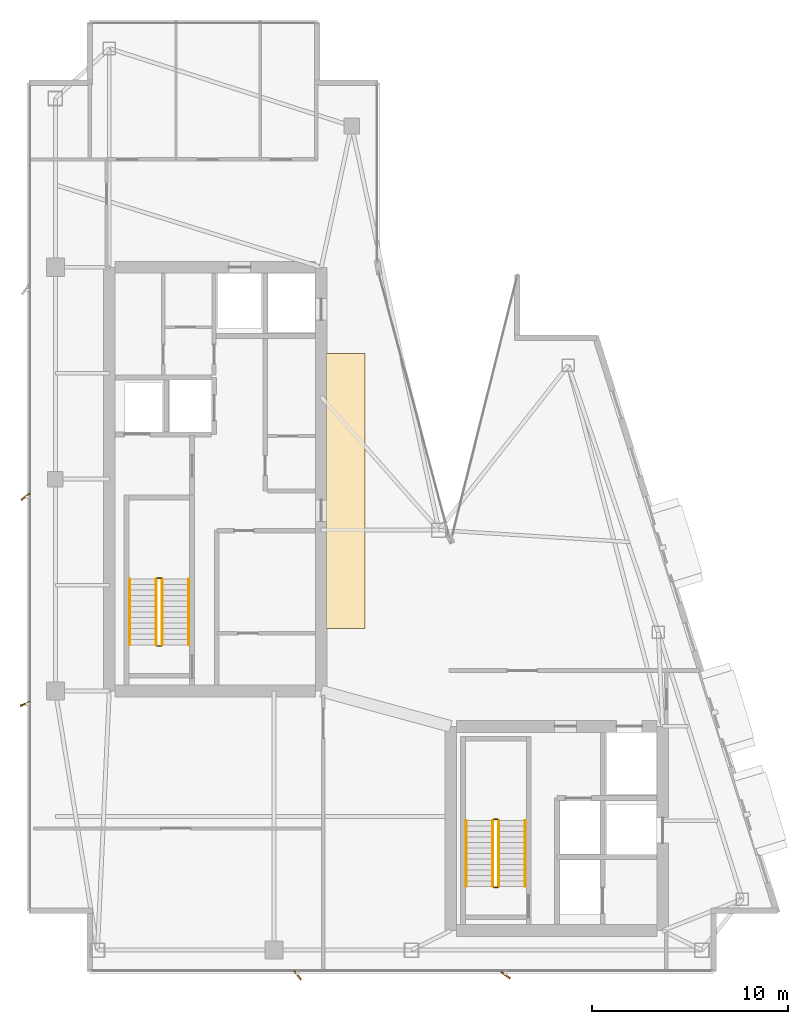
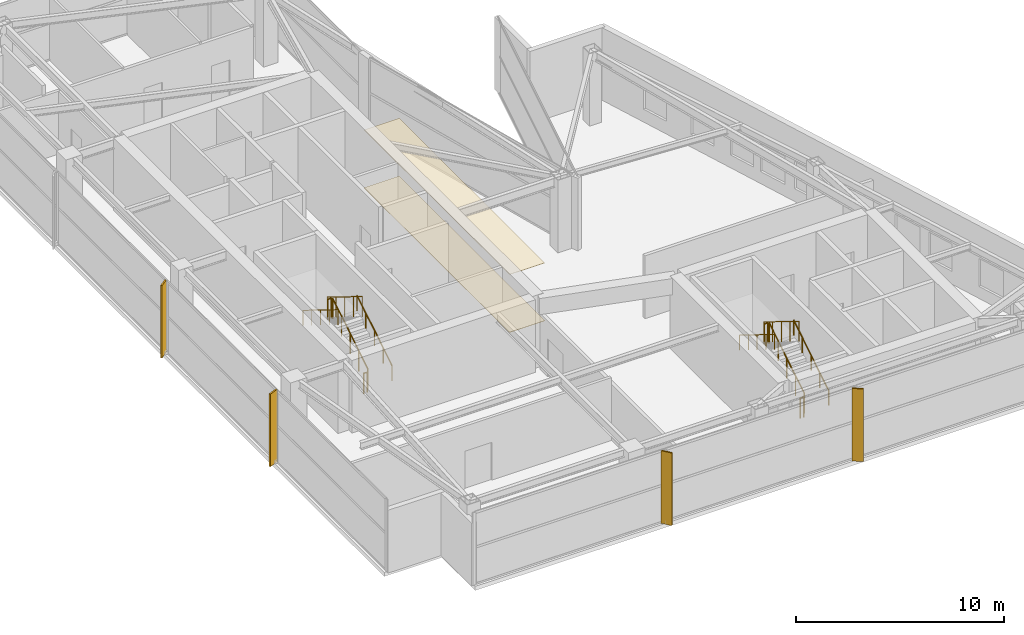
# One storey, part 24 of 25: 12 railings, 4 shading devices, 2 coverings.
"""IFC4 building model written with IfcOpenShell, lengths in metres."""

from ifc_helpers import new_model, si_unit, direction, frame, origin, origin_2d, place, context, subcontext, project, spatial, rectangle, circle, extrude, material, layer, layer_set, type_object, element, save


model = new_model("IFC4")

# Units and contexts
model_context = context("Model", 3, precision=1e-05, world=origin(), true_north=direction((0.0, 1.0)))
body_context = subcontext(model_context, "Body", "Model", "MODEL_VIEW")
ifc_project = project(units=[si_unit("LENGTHUNIT", "METRE"), si_unit("AREAUNIT", "SQUARE_METRE"), si_unit("VOLUMEUNIT", "CUBIC_METRE"), si_unit("PLANEANGLEUNIT", "RADIAN"), si_unit("MASSUNIT", "GRAM", prefix="KILO")], contexts=[model_context])

# Site, building, storey
site_placement = place(None, origin())
site = spatial("IfcSite", under=ifc_project, at=site_placement, CompositionType="ELEMENT")
building_placement = place(site_placement, origin())
building = spatial("IfcBuilding", under=site, at=building_placement, Name="Calvorn Quay Hotel", CompositionType="ELEMENT")
storey_placement = place(building_placement, frame((0.0, 0.0, 311.5)))
storey = spatial("IfcBuildingStorey", under=building, at=storey_placement, Name="L77", CompositionType="ELEMENT", Elevation=311.5)

# Coverings
ifc_material_1 = material(Name="Anodised Aluminium Acoustic Baffle", Category="aluminium")
ifc_layer_1 = layer(ifc_material_1, 0.02001953125)
ifc_layer_set_1 = layer_set([ifc_layer_1], Name="COV-CEIL-METAL")
covering_type_1 = type_object("IfcCoveringType", Name="COV-CEIL-METAL", PredefinedType="CEILING", material=ifc_layer_set_1)
covering_1_placement = place(storey_placement, frame((16.25, 27.0, 3.39990234375), z_axis=(0.0, 0.0, 1.0), x_axis=(1.0, 0.0, 0.0)))
element("IfcCovering", 1, at=covering_1_placement, inside=storey, type_object=covering_type_1, Name="Acoustic Suspended Ceiling (L77)", PredefinedType="CEILING", context=body_context, shape_type="SweptSolid", body=[
    extrude(rectangle(XDim=1.9599609375, YDim=14.0, at=origin_2d()), origin(), (0.0, 0.0, 1.0), 0.02001953125),
])
ifc_material_2 = material(Name="Honed Granite Stone Flooring", Category="masonry")
ifc_layer_2 = layer(ifc_material_2, 0.02392578125)
ifc_layer_set_2 = layer_set([ifc_layer_2], Name="COV-FLOOR-STONE")
covering_type_2 = type_object("IfcCoveringType", Name="COV-FLOOR-STONE", PredefinedType="FLOORING", material=ifc_layer_set_2)
covering_2_placement = place(storey_placement, frame((16.25, 27.0, 0.0), z_axis=(0.0, 0.0, 1.0), x_axis=(1.0, 0.0, 0.0)))
element("IfcCovering", 2, at=covering_2_placement, inside=storey, type_object=covering_type_2, Name="Interior Floor Finish (L77)", PredefinedType="FLOORING", context=body_context, shape_type="SweptSolid", body=[
    extrude(rectangle(XDim=1.9599609375, YDim=14.0, at=origin_2d()), origin(), (0.0, 0.0, 1.0), 0.02392578125),
])

# Railings
ifc_material_3 = material(Name="Brushed Stainless Steel Handrail", Category="steel")
railing_type_1 = type_object("IfcRailingType", Name="RLG-HANDRAIL-900", PredefinedType="HANDRAIL", material=ifc_material_3)
railing_1_placement = place(storey_placement, frame((8.25, 19.14990234375, 0.173095703125)))
element("IfcRailing", 3, at=railing_1_placement, inside=storey, type_object=railing_type_1, Name="L77 ST-W stair handrail 1", PredefinedType="HANDRAIL", context=body_context, shape_type="SweptSolid", body=[
    extrude(circle(Radius=0.02392578125, at=origin_2d()), frame((0.0, 0.0, 0.8759765625), z_axis=(0.0, 0.850623216509, 0.525775754039), x_axis=(-1.0, 0.0, 0.0)), (0.0, 0.0, 1.0), 3.9501953125),
    extrude(circle(Radius=0.02099609375, at=origin_2d()), origin(), (0.0, 0.0, 1.0), 0.851806640625),
    extrude(circle(Radius=0.02099609375, at=origin_2d()), frame((0.0, 0.840087890625, 0.519287109375)), (0.0, 0.0, 1.0), 0.851806640625),
    extrude(circle(Radius=0.02099609375, at=origin_2d()), frame((0.0, 1.68017578125, 1.03857421875)), (0.0, 0.0, 1.0), 0.851806640625),
    extrude(circle(Radius=0.02099609375, at=origin_2d()), frame((0.0, 2.52001953125, 1.5576171875)), (0.0, 0.0, 1.0), 0.851806640625),
    extrude(circle(Radius=0.02099609375, at=origin_2d()), frame((0.0, 3.360107421875, 2.076904296875)), (0.0, 0.0, 1.0), 0.851806640625),
])
railing_2_placement = place(storey_placement, frame((5.25, 22.510009765625, 2.423095703125)))
element("IfcRailing", 4, at=railing_2_placement, inside=storey, type_object=railing_type_1, Name="L77 ST-W stair handrail 2", PredefinedType="HANDRAIL", context=body_context, shape_type="SweptSolid", body=[
    extrude(circle(Radius=0.02392578125, at=origin_2d()), frame((0.0, 0.0, 0.8759765625), z_axis=(0.0, -0.850623216509, 0.525775754039), x_axis=(1.0, 0.0, 0.0)), (0.0, 0.0, 1.0), 3.9501953125),
    extrude(circle(Radius=0.02099609375, at=origin_2d()), origin(), (0.0, 0.0, 1.0), 0.851806640625),
    extrude(circle(Radius=0.02099609375, at=origin_2d()), frame((0.0, -0.840087890625, 0.519287109375)), (0.0, 0.0, 1.0), 0.851806640625),
    extrude(circle(Radius=0.02099609375, at=origin_2d()), frame((0.0, -1.68017578125, 1.03857421875)), (0.0, 0.0, 1.0), 0.851806640625),
    extrude(circle(Radius=0.02099609375, at=origin_2d()), frame((0.0, -2.52001953125, 1.5576171875)), (0.0, 0.0, 1.0), 0.851806640625),
    extrude(circle(Radius=0.02099609375, at=origin_2d()), frame((0.0, -3.360107421875, 2.076904296875)), (0.0, 0.0, 1.0), 0.851806640625),
])
railing_3_placement = place(storey_placement, frame((25.39990234375, 6.85009765625, 0.173095703125)))
element("IfcRailing", 5, at=railing_3_placement, inside=storey, type_object=railing_type_1, Name="L77 ST-E stair handrail 1", PredefinedType="HANDRAIL", context=body_context, shape_type="SweptSolid", body=[
    extrude(circle(Radius=0.02392578125, at=origin_2d()), frame((0.0, 0.0, 0.8759765625), z_axis=(0.0, 0.850606129759, 0.525803396734), x_axis=(-1.0, 0.0, 0.0)), (0.0, 0.0, 1.0), 3.949951171875),
    extrude(circle(Radius=0.02099609375, at=origin_2d()), origin(), (0.0, 0.0, 1.0), 0.851806640625),
    extrude(circle(Radius=0.02099609375, at=origin_2d()), frame((0.0, 0.83984375, 0.519287109375)), (0.0, 0.0, 1.0), 0.851806640625),
    extrude(circle(Radius=0.02099609375, at=origin_2d()), frame((0.0, 1.679931640625, 1.03857421875)), (0.0, 0.0, 1.0), 0.851806640625),
    extrude(circle(Radius=0.02099609375, at=origin_2d()), frame((0.0, 2.52001953125, 1.5576171875)), (0.0, 0.0, 1.0), 0.851806640625),
    extrude(circle(Radius=0.02099609375, at=origin_2d()), frame((0.0, 3.35986328125, 2.076904296875)), (0.0, 0.0, 1.0), 0.851806640625),
])
railing_4_placement = place(storey_placement, frame((22.39990234375, 10.2099609375, 2.423095703125)))
element("IfcRailing", 6, at=railing_4_placement, inside=storey, type_object=railing_type_1, Name="L77 ST-E stair handrail 2", PredefinedType="HANDRAIL", context=body_context, shape_type="SweptSolid", body=[
    extrude(circle(Radius=0.02392578125, at=origin_2d()), frame((0.0, 0.0, 0.8759765625), z_axis=(0.0, -0.850606129759, 0.525803396734), x_axis=(1.0, 0.0, 0.0)), (0.0, 0.0, 1.0), 3.949951171875),
    extrude(circle(Radius=0.02099609375, at=origin_2d()), origin(), (0.0, 0.0, 1.0), 0.851806640625),
    extrude(circle(Radius=0.02099609375, at=origin_2d()), frame((0.0, -0.83984375, 0.519287109375)), (0.0, 0.0, 1.0), 0.851806640625),
    extrude(circle(Radius=0.02099609375, at=origin_2d()), frame((0.0, -1.679931640625, 1.03857421875)), (0.0, 0.0, 1.0), 0.851806640625),
    extrude(circle(Radius=0.02099609375, at=origin_2d()), frame((0.0, -2.52001953125, 1.5576171875)), (0.0, 0.0, 1.0), 0.851806640625),
    extrude(circle(Radius=0.02099609375, at=origin_2d()), frame((0.0, -3.35986328125, 2.076904296875)), (0.0, 0.0, 1.0), 0.851806640625),
])
ifc_material_4 = material(Name="Painted Galvanised Steel Balustrade", Category="steel")
railing_type_2 = type_object("IfcRailingType", Name="RLG-STAIR-GUARD-1120", PredefinedType="GUARDRAIL", material=ifc_material_4)
railing_5_placement = place(storey_placement, frame((6.89990234375, 19.14990234375, 0.173095703125)))
element("IfcRailing", 7, at=railing_5_placement, inside=storey, type_object=railing_type_2, Name="L77 ST-W stair guard 1", PredefinedType="GUARDRAIL", context=body_context, shape_type="SweptSolid", body=[
    extrude(circle(Radius=0.02392578125, at=origin_2d()), frame((0.0, 0.0, 1.17578125), z_axis=(0.0, 0.850623216509, 0.525775754039), x_axis=(-1.0, 0.0, 0.0)), (0.0, 0.0, 1.0), 3.9501953125),
    extrude(circle(Radius=0.02099609375, at=origin_2d()), origin(), (0.0, 0.0, 1.0), 1.15185546875),
    extrude(circle(Radius=0.02099609375, at=origin_2d()), frame((0.0, 0.840087890625, 0.519287109375)), (0.0, 0.0, 1.0), 1.15185546875),
    extrude(circle(Radius=0.02099609375, at=origin_2d()), frame((0.0, 1.68017578125, 1.03857421875)), (0.0, 0.0, 1.0), 1.15185546875),
    extrude(circle(Radius=0.02099609375, at=origin_2d()), frame((0.0, 2.52001953125, 1.5576171875)), (0.0, 0.0, 1.0), 1.15185546875),
    extrude(circle(Radius=0.02099609375, at=origin_2d()), frame((0.0, 3.360107421875, 2.076904296875)), (0.0, 0.0, 1.0), 1.15185546875),
])
railing_6_placement = place(storey_placement, frame((6.85009765625, 22.56005859375, 2.25)))
element("IfcRailing", 8, at=railing_6_placement, inside=storey, type_object=railing_type_2, Name="L77 ST-W stair guard 2", PredefinedType="GUARDRAIL", context=body_context, shape_type="SweptSolid", body=[
    extrude(circle(Radius=0.02392578125, at=origin_2d()), frame((0.0, 0.0, 1.17578125), z_axis=(-1.0, 0.0, 0.0), x_axis=(0.0, -1.0, 0.0)), (0.0, 0.0, 1.0), 0.2001953125),
    extrude(circle(Radius=0.02099609375, at=origin_2d()), origin(), (0.0, 0.0, 1.0), 1.15185546875),
    extrude(circle(Radius=0.02099609375, at=origin_2d()), frame((-0.2001953125, 0.0, 0.0)), (0.0, 0.0, 1.0), 1.15185546875),
])
railing_7_placement = place(storey_placement, frame((6.60009765625, 22.510009765625, 2.423095703125)))
element("IfcRailing", 9, at=railing_7_placement, inside=storey, type_object=railing_type_2, Name="L77 ST-W stair guard 3", PredefinedType="GUARDRAIL", context=body_context, shape_type="SweptSolid", body=[
    extrude(circle(Radius=0.02392578125, at=origin_2d()), frame((0.0, 0.0, 1.17578125), z_axis=(0.0, -0.850623216509, 0.525775754039), x_axis=(1.0, 0.0, 0.0)), (0.0, 0.0, 1.0), 3.9501953125),
    extrude(circle(Radius=0.02099609375, at=origin_2d()), origin(), (0.0, 0.0, 1.0), 1.15185546875),
    extrude(circle(Radius=0.02099609375, at=origin_2d()), frame((0.0, -0.840087890625, 0.519287109375)), (0.0, 0.0, 1.0), 1.15185546875),
    extrude(circle(Radius=0.02099609375, at=origin_2d()), frame((0.0, -1.68017578125, 1.03857421875)), (0.0, 0.0, 1.0), 1.15185546875),
    extrude(circle(Radius=0.02099609375, at=origin_2d()), frame((0.0, -2.52001953125, 1.5576171875)), (0.0, 0.0, 1.0), 1.15185546875),
    extrude(circle(Radius=0.02099609375, at=origin_2d()), frame((0.0, -3.360107421875, 2.076904296875)), (0.0, 0.0, 1.0), 1.15185546875),
])
railing_8_placement = place(storey_placement, frame((6.85009765625, 19.10009765625, 0.0)))
element("IfcRailing", 10, at=railing_8_placement, inside=storey, type_object=railing_type_2, Name="L77 ST-W stair guard 4", PredefinedType="GUARDRAIL", context=body_context, shape_type="SweptSolid", body=[
    extrude(circle(Radius=0.02392578125, at=origin_2d()), frame((0.0, 0.0, 1.17578125), z_axis=(-1.0, 0.0, 0.0), x_axis=(0.0, -1.0, 0.0)), (0.0, 0.0, 1.0), 0.2001953125),
    extrude(circle(Radius=0.02099609375, at=origin_2d()), origin(), (0.0, 0.0, 1.0), 1.15185546875),
    extrude(circle(Radius=0.02099609375, at=origin_2d()), frame((-0.2001953125, 0.0, 0.0)), (0.0, 0.0, 1.0), 1.15185546875),
])
railing_9_placement = place(storey_placement, frame((24.050048828125, 6.85009765625, 0.173095703125)))
element("IfcRailing", 11, at=railing_9_placement, inside=storey, type_object=railing_type_2, Name="L77 ST-E stair guard 1", PredefinedType="GUARDRAIL", context=body_context, shape_type="SweptSolid", body=[
    extrude(circle(Radius=0.02392578125, at=origin_2d()), frame((0.0, 0.0, 1.17578125), z_axis=(0.0, 0.850606129759, 0.525803396734), x_axis=(-1.0, 0.0, 0.0)), (0.0, 0.0, 1.0), 3.949951171875),
    extrude(circle(Radius=0.02099609375, at=origin_2d()), origin(), (0.0, 0.0, 1.0), 1.15185546875),
    extrude(circle(Radius=0.02099609375, at=origin_2d()), frame((0.0, 0.83984375, 0.519287109375)), (0.0, 0.0, 1.0), 1.15185546875),
    extrude(circle(Radius=0.02099609375, at=origin_2d()), frame((0.0, 1.679931640625, 1.03857421875)), (0.0, 0.0, 1.0), 1.15185546875),
    extrude(circle(Radius=0.02099609375, at=origin_2d()), frame((0.0, 2.52001953125, 1.5576171875)), (0.0, 0.0, 1.0), 1.15185546875),
    extrude(circle(Radius=0.02099609375, at=origin_2d()), frame((0.0, 3.35986328125, 2.076904296875)), (0.0, 0.0, 1.0), 1.15185546875),
])
railing_10_placement = place(storey_placement, frame((24.0, 10.260009765625, 2.25)))
element("IfcRailing", 12, at=railing_10_placement, inside=storey, type_object=railing_type_2, Name="L77 ST-E stair guard 2", PredefinedType="GUARDRAIL", context=body_context, shape_type="SweptSolid", body=[
    extrude(circle(Radius=0.02392578125, at=origin_2d()), frame((0.0, 0.0, 1.17578125), z_axis=(-1.0, 0.0, 0.0), x_axis=(0.0, -1.0, 0.0)), (0.0, 0.0, 1.0), 0.199951171875),
    extrude(circle(Radius=0.02099609375, at=origin_2d()), origin(), (0.0, 0.0, 1.0), 1.15185546875),
    extrude(circle(Radius=0.02099609375, at=origin_2d()), frame((-0.199951171875, 0.0, 0.0)), (0.0, 0.0, 1.0), 1.15185546875),
])
railing_11_placement = place(storey_placement, frame((23.75, 10.2099609375, 2.423095703125)))
element("IfcRailing", 13, at=railing_11_placement, inside=storey, type_object=railing_type_2, Name="L77 ST-E stair guard 3", PredefinedType="GUARDRAIL", context=body_context, shape_type="SweptSolid", body=[
    extrude(circle(Radius=0.02392578125, at=origin_2d()), frame((0.0, 0.0, 1.17578125), z_axis=(0.0, -0.850606129759, 0.525803396734), x_axis=(1.0, 0.0, 0.0)), (0.0, 0.0, 1.0), 3.949951171875),
    extrude(circle(Radius=0.02099609375, at=origin_2d()), origin(), (0.0, 0.0, 1.0), 1.15185546875),
    extrude(circle(Radius=0.02099609375, at=origin_2d()), frame((0.0, -0.83984375, 0.519287109375)), (0.0, 0.0, 1.0), 1.15185546875),
    extrude(circle(Radius=0.02099609375, at=origin_2d()), frame((0.0, -1.679931640625, 1.03857421875)), (0.0, 0.0, 1.0), 1.15185546875),
    extrude(circle(Radius=0.02099609375, at=origin_2d()), frame((0.0, -2.52001953125, 1.5576171875)), (0.0, 0.0, 1.0), 1.15185546875),
    extrude(circle(Radius=0.02099609375, at=origin_2d()), frame((0.0, -3.35986328125, 2.076904296875)), (0.0, 0.0, 1.0), 1.15185546875),
])
railing_12_placement = place(storey_placement, frame((24.0, 6.800048828125, 0.0)))
element("IfcRailing", 14, at=railing_12_placement, inside=storey, type_object=railing_type_2, Name="L77 ST-E stair guard 4", PredefinedType="GUARDRAIL", context=body_context, shape_type="SweptSolid", body=[
    extrude(circle(Radius=0.02392578125, at=origin_2d()), frame((0.0, 0.0, 1.17578125), z_axis=(-1.0, 0.0, 0.0), x_axis=(0.0, -1.0, 0.0)), (0.0, 0.0, 1.0), 0.199951171875),
    extrude(circle(Radius=0.02099609375, at=origin_2d()), origin(), (0.0, 0.0, 1.0), 1.15185546875),
    extrude(circle(Radius=0.02099609375, at=origin_2d()), frame((-0.199951171875, 0.0, 0.0)), (0.0, 0.0, 1.0), 1.15185546875),
])

# Shading devices
ifc_material_5 = material(Name="Champagne Bronze Anodised Aluminium 6063-T6", Category="aluminium")
shading_device_type_1 = type_object("IfcShadingDeviceType", Name="SHD-FIN-A1", PredefinedType="USERDEFINED", material=ifc_material_5)
shading_device_1_placement = place(storey_placement, frame((-0.080078125, 16.14990234375, 0.0), z_axis=(0.0, 0.0, 1.0), x_axis=(0.927183854567, 0.374606593416, 0.0)))
element("IfcShadingDevice", 15, at=shading_device_1_placement, inside=storey, type_object=shading_device_type_1, Name="Diagonal Sun-Shading Fin L77-W01", ObjectType="FIN", PredefinedType="USERDEFINED", context=body_context, shape_type="SweptSolid", body=[
    extrude(rectangle(XDim=0.550048828125, YDim=0.080078125, at=origin_2d()), origin(), (0.0, 0.0, 1.0), 4.260009765625),
])
ifc_material_6 = material(Name="Champagne Bronze Anodised Aluminium 6063-T6", Category="aluminium")
shading_device_type_2 = type_object("IfcShadingDeviceType", Name="SHD-FIN-A2", PredefinedType="USERDEFINED", material=ifc_material_6)
for number, where, z_axis, x_axis, name in (
    (16, (-0.080078125, 26.699951171875, 0.0), (0.0, 0.0, 1.0), (0.788010753607, 0.615661475326, 0.0), "Diagonal Sun-Shading Fin L77-W02"),
    (17, (13.800048828125, 2.320068359375, 0.0), (0.0, 0.0, 1.0), (-0.615661475326, 0.788010753607, 0.0), "Diagonal Sun-Shading Fin L77-S01"),
):
    element("IfcShadingDevice", number, at=place(storey_placement, frame(where, z_axis=z_axis, x_axis=x_axis)), inside=storey, type_object=shading_device_type_2, Name=name, ObjectType="FIN", PredefinedType="USERDEFINED", context=body_context, shape_type="SweptSolid", body=[
        extrude(rectangle(XDim=0.550048828125, YDim=0.080078125, at=origin_2d()), origin(), (0.0, 0.0, 1.0), 4.260009765625),
    ])
ifc_material_7 = material(Name="Champagne Bronze Anodised Aluminium 6063-T6", Category="aluminium")
shading_device_type_3 = type_object("IfcShadingDeviceType", Name="SHD-FIN-A3", PredefinedType="USERDEFINED", material=ifc_material_7)
shading_device_2_placement = place(storey_placement, frame((24.39990234375, 2.320068359375, 0.0), z_axis=(0.0, 0.0, 1.0), x_axis=(-0.809016994375, 0.587785252292, 0.0)))
element("IfcShadingDevice", 18, at=shading_device_2_placement, inside=storey, type_object=shading_device_type_3, Name="Diagonal Sun-Shading Fin L77-S02", ObjectType="FIN", PredefinedType="USERDEFINED", context=body_context, shape_type="SweptSolid", body=[
    extrude(rectangle(XDim=0.550048828125, YDim=0.080078125, at=origin_2d()), origin(), (0.0, 0.0, 1.0), 4.260009765625),
])

save(model, "model.ifc")
